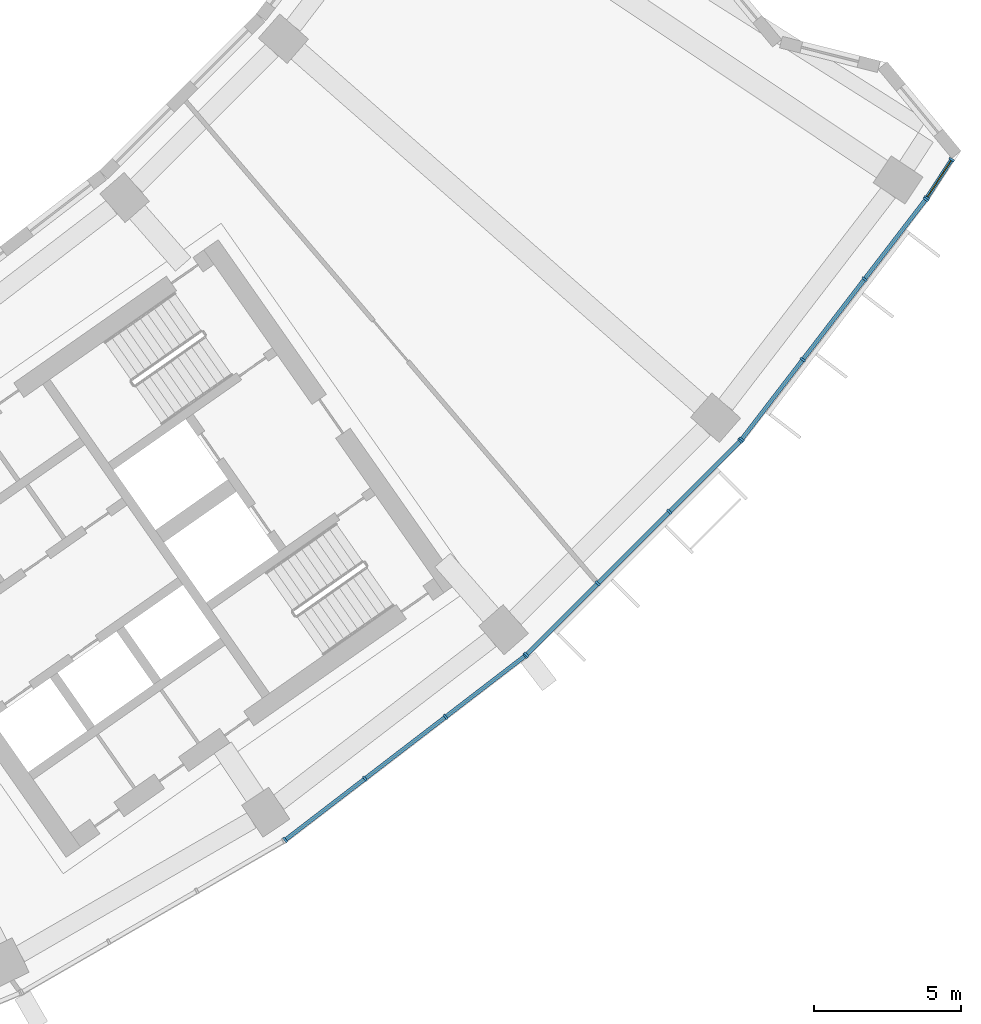
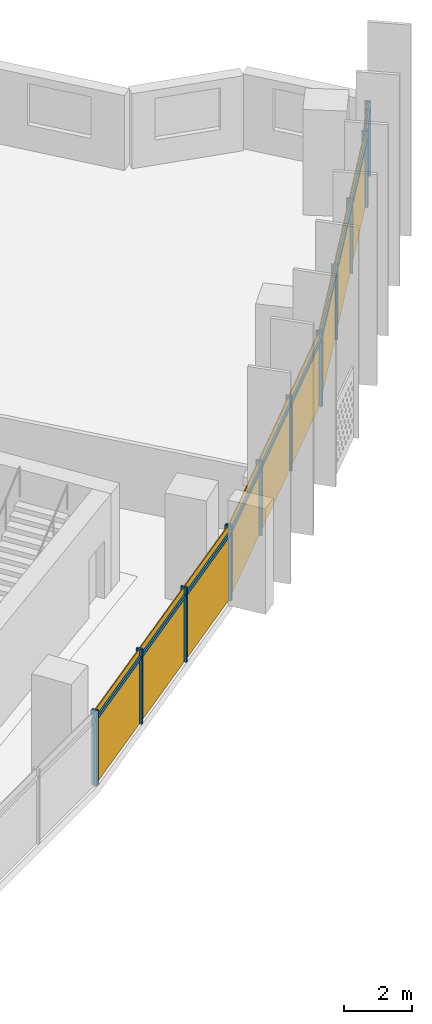
# One storey, part 20 of 26: 24 members, 4 curtain walls.
"""IFC4 building model written with IfcOpenShell, lengths in metres."""

from ifc_helpers import new_model, si_unit, direction, frame, origin, origin_2d, place, context, subcontext, project, spatial, rectangle, extrude, material, material_profile, profile_set, type_object, element, aggregate, save


model = new_model("IFC4")

# Units and contexts
model_context = context("Model", 3, precision=1e-05, world=origin(), true_north=direction((0.0, 1.0)))
body_context = subcontext(model_context, "Body", "Model", "MODEL_VIEW")
ifc_project = project(units=[si_unit("LENGTHUNIT", "METRE"), si_unit("AREAUNIT", "SQUARE_METRE"), si_unit("VOLUMEUNIT", "CUBIC_METRE"), si_unit("PLANEANGLEUNIT", "RADIAN"), si_unit("MASSUNIT", "GRAM", prefix="KILO")], contexts=[model_context])

# Member
ifc_material = material(Name="Aluminium 6063-T6 anodised", Category="aluminium")
ifc_material_profile_1 = material_profile(ifc_material, rectangle(XDim=0.199951171875, YDim=0.070068359375, at=origin_2d()))
ifc_profile_set_1 = profile_set([ifc_material_profile_1], Name="Aluminium 6063-T6 anodised")
member_type_1 = type_object("IfcMemberType", Name="Mullion 70 x 200 aluminium", PredefinedType="MULLION", material=ifc_profile_set_1)
site_placement = place(None, origin())
building_placement = place(site_placement, origin())
storey_placement = place(building_placement, frame((0.0, 0.0, 156.89990234375)))
member_1_placement = place(storey_placement, frame((43.85693359375, -65.58544921875, 0.0), z_axis=(0.0, 0.0, 1.0), x_axis=(-0.608761429009, 0.793353340291, 0.0)))
member_1 = element("IfcMember", 1, at=member_1_placement, type_object=member_type_1, Name="e-cw1-L36-out12/M00", PredefinedType="MULLION", context=body_context, shape_type="SweptSolid", body=[
    extrude(rectangle(XDim=0.199951171875, YDim=0.070068359375, at=origin_2d()), origin(), (0.0, 0.0, 1.0), 2.7001953125),
])

member_2_placement = place(storey_placement, frame((46.56201171875, -63.509765625, 0.0), z_axis=(0.0, 0.0, 1.0), x_axis=(-0.608761429009, 0.793353340291, 0.0)))
member_2 = element("IfcMember", 2, at=member_2_placement, type_object=member_type_1, Name="e-cw1-L36-out12/M01", PredefinedType="MULLION", context=body_context, shape_type="SweptSolid", body=[
    extrude(rectangle(XDim=0.199951171875, YDim=0.070068359375, at=origin_2d()), origin(), (0.0, 0.0, 1.0), 2.7001953125),
])

member_3_placement = place(storey_placement, frame((49.294677734375, -61.412841796875, 0.0), z_axis=(0.0, 0.0, 1.0), x_axis=(-0.608761429009, 0.793353340291, 0.0)))
member_3 = element("IfcMember", 3, at=member_3_placement, type_object=member_type_1, Name="e-cw1-L36-out12/M02", PredefinedType="MULLION", context=body_context, shape_type="SweptSolid", body=[
    extrude(rectangle(XDim=0.199951171875, YDim=0.070068359375, at=origin_2d()), origin(), (0.0, 0.0, 1.0), 2.7001953125),
])

member_4_placement = place(storey_placement, frame((51.999755859375, -59.33740234375, 0.0), z_axis=(0.0, 0.0, 1.0), x_axis=(-0.608761429009, 0.793353340291, 0.0)))
member_4 = element("IfcMember", 4, at=member_4_placement, type_object=member_type_1, Name="e-cw1-L36-out12/M03", PredefinedType="MULLION", context=body_context, shape_type="SweptSolid", body=[
    extrude(rectangle(XDim=0.199951171875, YDim=0.070068359375, at=origin_2d()), origin(), (0.0, 0.0, 1.0), 2.7001953125),
])

member_5_placement = place(storey_placement, frame((52.042236328125, -59.2998046875, 0.0), z_axis=(0.0, 0.0, 1.0), x_axis=(-0.707106781187, 0.707106781187, 0.0)))
member_5 = element("IfcMember", 5, at=member_5_placement, type_object=member_type_1, Name="e-cw1-L36-out13/M00", PredefinedType="MULLION", context=body_context, shape_type="SweptSolid", body=[
    extrude(rectangle(XDim=0.199951171875, YDim=0.070068359375, at=origin_2d()), origin(), (0.0, 0.0, 1.0), 2.7001953125),
])

member_6_placement = place(storey_placement, frame((54.453369140625, -56.888916015625, 0.0), z_axis=(0.0, 0.0, 1.0), x_axis=(-0.707106781187, 0.707106781187, 0.0)))
member_6 = element("IfcMember", 6, at=member_6_placement, type_object=member_type_1, Name="e-cw1-L36-out13/M01", PredefinedType="MULLION", context=body_context, shape_type="SweptSolid", body=[
    extrude(rectangle(XDim=0.199951171875, YDim=0.070068359375, at=origin_2d()), origin(), (0.0, 0.0, 1.0), 2.7001953125),
])

member_7_placement = place(storey_placement, frame((56.888916015625, -54.453369140625, 0.0), z_axis=(0.0, 0.0, 1.0), x_axis=(-0.707106781187, 0.707106781187, 0.0)))
member_7 = element("IfcMember", 7, at=member_7_placement, type_object=member_type_1, Name="e-cw1-L36-out13/M02", PredefinedType="MULLION", context=body_context, shape_type="SweptSolid", body=[
    extrude(rectangle(XDim=0.199951171875, YDim=0.070068359375, at=origin_2d()), origin(), (0.0, 0.0, 1.0), 2.7001953125),
])

member_8_placement = place(storey_placement, frame((59.2998046875, -52.042236328125, 0.0), z_axis=(0.0, 0.0, 1.0), x_axis=(-0.707106781187, 0.707106781187, 0.0)))
member_8 = element("IfcMember", 8, at=member_8_placement, type_object=member_type_1, Name="e-cw1-L36-out13/M03", PredefinedType="MULLION", context=body_context, shape_type="SweptSolid", body=[
    extrude(rectangle(XDim=0.199951171875, YDim=0.070068359375, at=origin_2d()), origin(), (0.0, 0.0, 1.0), 2.7001953125),
])

member_9_placement = place(storey_placement, frame((59.33740234375, -51.999755859375, 0.0), z_axis=(0.0, 0.0, 1.0), x_axis=(-0.793353340291, 0.608761429009, 0.0)))
member_9 = element("IfcMember", 9, at=member_9_placement, type_object=member_type_1, Name="e-cw1-L36-out14/M00", PredefinedType="MULLION", context=body_context, shape_type="SweptSolid", body=[
    extrude(rectangle(XDim=0.199951171875, YDim=0.070068359375, at=origin_2d()), origin(), (0.0, 0.0, 1.0), 2.7001953125),
])

member_10_placement = place(storey_placement, frame((61.412841796875, -49.294677734375, 0.0), z_axis=(0.0, 0.0, 1.0), x_axis=(-0.793353340291, 0.608761429009, 0.0)))
member_10 = element("IfcMember", 10, at=member_10_placement, type_object=member_type_1, Name="e-cw1-L36-out14/M01", PredefinedType="MULLION", context=body_context, shape_type="SweptSolid", body=[
    extrude(rectangle(XDim=0.199951171875, YDim=0.070068359375, at=origin_2d()), origin(), (0.0, 0.0, 1.0), 2.7001953125),
])

member_11_placement = place(storey_placement, frame((63.509765625, -46.56201171875, 0.0), z_axis=(0.0, 0.0, 1.0), x_axis=(-0.793353340291, 0.608761429009, 0.0)))
member_11 = element("IfcMember", 11, at=member_11_placement, type_object=member_type_1, Name="e-cw1-L36-out14/M02", PredefinedType="MULLION", context=body_context, shape_type="SweptSolid", body=[
    extrude(rectangle(XDim=0.199951171875, YDim=0.070068359375, at=origin_2d()), origin(), (0.0, 0.0, 1.0), 2.7001953125),
])

member_12_placement = place(storey_placement, frame((65.58544921875, -43.85693359375, 0.0), z_axis=(0.0, 0.0, 1.0), x_axis=(-0.793353340291, 0.608761429009, 0.0)))
member_12 = element("IfcMember", 12, at=member_12_placement, type_object=member_type_1, Name="e-cw1-L36-out14/M03", PredefinedType="MULLION", context=body_context, shape_type="SweptSolid", body=[
    extrude(rectangle(XDim=0.199951171875, YDim=0.070068359375, at=origin_2d()), origin(), (0.0, 0.0, 1.0), 2.7001953125),
])

member_13_placement = place(storey_placement, frame((65.621337890625, -43.80615234375, 0.0), z_axis=(0.0, 0.0, 1.0), x_axis=(-0.838446044711, 0.544984614561, 0.0)))
member_13 = element("IfcMember", 13, at=member_13_placement, type_object=member_type_1, Name="e-cw1-L36-out15/M00", PredefinedType="MULLION", context=body_context, shape_type="SweptSolid", body=[
    extrude(rectangle(XDim=0.199951171875, YDim=0.070068359375, at=origin_2d()), origin(), (0.0, 0.0, 1.0), 2.7001953125),
])

member_14_placement = place(storey_placement, frame((66.465087890625, -42.50830078125, 0.0), z_axis=(0.0, 0.0, 1.0), x_axis=(-0.838446044711, 0.544984614561, 0.0)))
member_14 = element("IfcMember", 14, at=member_14_placement, type_object=member_type_1, Name="e-cw1-L36-out15/M01", PredefinedType="MULLION", context=body_context, shape_type="SweptSolid", body=[
    extrude(rectangle(XDim=0.199951171875, YDim=0.070068359375, at=origin_2d()), origin(), (0.0, 0.0, 1.0), 2.7001953125),
])

ifc_material_profile_2 = material_profile(ifc_material, rectangle(XDim=0.139892578125, YDim=0.1201171875, at=origin_2d()))
ifc_profile_set_2 = profile_set([ifc_material_profile_2], Name="Aluminium 6063-T6 anodised")
member_type_2 = type_object("IfcMemberType", Name="Transom 120 x 140 aluminium", PredefinedType="USERDEFINED", material=ifc_profile_set_2)
member_15_placement = place(storey_placement, frame((43.884765625, -65.564208984375, 2.400146484375), z_axis=(0.793354486861, 0.608759934767, 0.0), x_axis=(-0.608759934767, 0.793354486861, 0.0)))
member_15 = element("IfcMember", 15, at=member_15_placement, type_object=member_type_2, Name="e-cw1-L36-out12/T00", ObjectType="TRANSOM", PredefinedType="USERDEFINED", context=body_context, shape_type="SweptSolid", body=[
    extrude(rectangle(XDim=0.139892578125, YDim=0.1201171875, at=origin_2d()), origin(), (0.0, 0.0, 1.0), 3.339599609375),
])

member_16_placement = place(storey_placement, frame((46.589599609375, -63.488525390625, 2.400146484375), z_axis=(0.793371081522, 0.608738307489, 0.0), x_axis=(-0.608738307489, 0.793371081522, 0.0)))
member_16 = element("IfcMember", 16, at=member_16_placement, type_object=member_type_2, Name="e-cw1-L36-out12/T01", ObjectType="TRANSOM", PredefinedType="USERDEFINED", context=body_context, shape_type="SweptSolid", body=[
    extrude(rectangle(XDim=0.139892578125, YDim=0.1201171875, at=origin_2d()), origin(), (0.0, 0.0, 1.0), 3.37451171875),
])

member_17_placement = place(storey_placement, frame((49.322509765625, -61.3916015625, 2.400146484375), z_axis=(0.793354486861, 0.608759934767, 0.0), x_axis=(-0.608759934767, 0.793354486861, 0.0)))
member_17 = element("IfcMember", 17, at=member_17_placement, type_object=member_type_2, Name="e-cw1-L36-out12/T02", ObjectType="TRANSOM", PredefinedType="USERDEFINED", context=body_context, shape_type="SweptSolid", body=[
    extrude(rectangle(XDim=0.139892578125, YDim=0.1201171875, at=origin_2d()), origin(), (0.0, 0.0, 1.0), 3.339599609375),
])

member_18_placement = place(storey_placement, frame((52.067138671875, -59.275146484375, 2.400146484375), z_axis=(0.707106781187, 0.707106781187, 0.0), x_axis=(-0.707106781187, 0.707106781187, 0.0)))
member_18 = element("IfcMember", 18, at=member_18_placement, type_object=member_type_2, Name="e-cw1-L36-out13/T00", ObjectType="TRANSOM", PredefinedType="USERDEFINED", context=body_context, shape_type="SweptSolid", body=[
    extrude(rectangle(XDim=0.139892578125, YDim=0.1201171875, at=origin_2d()), origin(), (0.0, 0.0, 1.0), 3.33935546875),
])

member_19_placement = place(storey_placement, frame((54.47802734375, -56.8642578125, 2.400146484375), z_axis=(0.707106781187, 0.707106781187, 0.0), x_axis=(-0.707106781187, 0.707106781187, 0.0)))
member_19 = element("IfcMember", 19, at=member_19_placement, type_object=member_type_2, Name="e-cw1-L36-out13/T01", ObjectType="TRANSOM", PredefinedType="USERDEFINED", context=body_context, shape_type="SweptSolid", body=[
    extrude(rectangle(XDim=0.139892578125, YDim=0.1201171875, at=origin_2d()), origin(), (0.0, 0.0, 1.0), 3.374755859375),
])

member_20_placement = place(storey_placement, frame((56.913818359375, -54.428466796875, 2.400146484375), z_axis=(0.707106781187, 0.707106781187, 0.0), x_axis=(-0.707106781187, 0.707106781187, 0.0)))
member_20 = element("IfcMember", 20, at=member_20_placement, type_object=member_type_2, Name="e-cw1-L36-out13/T02", ObjectType="TRANSOM", PredefinedType="USERDEFINED", context=body_context, shape_type="SweptSolid", body=[
    extrude(rectangle(XDim=0.139892578125, YDim=0.1201171875, at=origin_2d()), origin(), (0.0, 0.0, 1.0), 3.33935546875),
])

member_21_placement = place(storey_placement, frame((59.358642578125, -51.971923828125, 2.400146484375), z_axis=(0.608759934767, 0.793354486861, 0.0), x_axis=(-0.793354486861, 0.608759934767, 0.0)))
member_21 = element("IfcMember", 21, at=member_21_placement, type_object=member_type_2, Name="e-cw1-L36-out14/T00", ObjectType="TRANSOM", PredefinedType="USERDEFINED", context=body_context, shape_type="SweptSolid", body=[
    extrude(rectangle(XDim=0.139892578125, YDim=0.1201171875, at=origin_2d()), origin(), (0.0, 0.0, 1.0), 3.339599609375),
])

member_22_placement = place(storey_placement, frame((61.434326171875, -49.266845703125, 2.400146484375), z_axis=(0.608738307489, 0.793371081522, 0.0), x_axis=(-0.793371081522, 0.608738307489, 0.0)))
member_22 = element("IfcMember", 22, at=member_22_placement, type_object=member_type_2, Name="e-cw1-L36-out14/T01", ObjectType="TRANSOM", PredefinedType="USERDEFINED", context=body_context, shape_type="SweptSolid", body=[
    extrude(rectangle(XDim=0.139892578125, YDim=0.1201171875, at=origin_2d()), origin(), (0.0, 0.0, 1.0), 3.37451171875),
])

member_23_placement = place(storey_placement, frame((63.53125, -46.5341796875, 2.400146484375), z_axis=(0.608759934767, 0.793354486861, 0.0), x_axis=(-0.793354486861, 0.608759934767, 0.0)))
member_23 = element("IfcMember", 23, at=member_23_placement, type_object=member_type_2, Name="e-cw1-L36-out14/T02", ObjectType="TRANSOM", PredefinedType="USERDEFINED", context=body_context, shape_type="SweptSolid", body=[
    extrude(rectangle(XDim=0.139892578125, YDim=0.1201171875, at=origin_2d()), origin(), (0.0, 0.0, 1.0), 3.339599609375),
])

member_24_placement = place(storey_placement, frame((65.640380859375, -43.77685546875, 2.400146484375), z_axis=(0.544941900841, 0.838473806811, 0.0), x_axis=(-0.838473806811, 0.544941900841, 0.0)))
member_24 = element("IfcMember", 24, at=member_24_placement, type_object=member_type_2, Name="e-cw1-L36-out15/T00", ObjectType="TRANSOM", PredefinedType="USERDEFINED", context=body_context, shape_type="SweptSolid", body=[
    extrude(rectangle(XDim=0.139892578125, YDim=0.1201171875, at=origin_2d()), origin(), (0.0, 0.0, 1.0), 1.47802734375),
])

# Site, building, storey
site = spatial("IfcSite", under=ifc_project, at=site_placement, CompositionType="ELEMENT")
building = spatial("IfcBuilding", under=site, at=building_placement, Name="Qamariyya Broadcast Tower", CompositionType="ELEMENT")
storey = spatial("IfcBuildingStorey", under=building, at=storey_placement, Name="L36", CompositionType="ELEMENT", Elevation=156.89990234375)

# Curtain wall
curtain_wall_type = type_object("IfcCurtainWallType", Name="Unitised curtain wall, anodised aluminium", PredefinedType="NOTDEFINED", material=ifc_material)
curtain_wall_1_placement = place(storey_placement, origin())
curtain_wall_1 = element("IfcCurtainWall", 25, at=curtain_wall_1_placement, inside=storey, type_object=curtain_wall_type, Name="e-cw1-L36-out12", PredefinedType="NOTDEFINED", context=body_context, shape_type="SweptSolid", body=[
    extrude(rectangle(XDim=3.339599609375, YDim=0.031982421875, at=origin_2d()), frame((45.20947265625, -64.547607421875, 0.0), x_axis=(0.793351517557, 0.608763804434, 0.0)), (0.0, 0.0, 1.0), 2.340087890625),
    extrude(rectangle(XDim=3.339599609375, YDim=0.031982421875, at=origin_2d()), frame((45.20947265625, -64.547607421875, 2.460205078125), x_axis=(0.793351517557, 0.608763804434, 0.0)), (0.0, 0.0, 1.0), 0.239990234375),
    extrude(rectangle(XDim=3.37451171875, YDim=0.031982421875, at=origin_2d()), frame((47.92822265625, -62.46142578125, 0.0), x_axis=(0.793351517557, 0.608763804434, 0.0)), (0.0, 0.0, 1.0), 2.340087890625),
    extrude(rectangle(XDim=3.37451171875, YDim=0.031982421875, at=origin_2d()), frame((47.92822265625, -62.46142578125, 2.460205078125), x_axis=(0.793351517557, 0.608763804434, 0.0)), (0.0, 0.0, 1.0), 0.239990234375),
    extrude(rectangle(XDim=3.339599609375, YDim=0.031982421875, at=origin_2d()), frame((50.64697265625, -60.375, 0.0), x_axis=(0.793351517557, 0.608763804434, 0.0)), (0.0, 0.0, 1.0), 2.340087890625),
    extrude(rectangle(XDim=3.339599609375, YDim=0.031982421875, at=origin_2d()), frame((50.64697265625, -60.375, 2.460205078125), x_axis=(0.793351517557, 0.608763804434, 0.0)), (0.0, 0.0, 1.0), 0.239990234375),
])

aggregate(curtain_wall_1, [member_1, member_2, member_3, member_4, member_15, member_16, member_17])

curtain_wall_2_placement = place(storey_placement, origin())
curtain_wall_2 = element("IfcCurtainWall", 26, at=curtain_wall_2_placement, inside=storey, type_object=curtain_wall_type, Name="e-cw1-L36-out13", PredefinedType="NOTDEFINED", context=body_context, shape_type="SweptSolid", body=[
    extrude(rectangle(XDim=3.339599609375, YDim=0.031982421875, at=origin_2d()), frame((53.247802734375, -58.094482421875, 0.0), x_axis=(0.707106781187, 0.707106781187, 0.0)), (0.0, 0.0, 1.0), 2.340087890625),
    extrude(rectangle(XDim=3.339599609375, YDim=0.031982421875, at=origin_2d()), frame((53.247802734375, -58.094482421875, 2.460205078125), x_axis=(0.707106781187, 0.707106781187, 0.0)), (0.0, 0.0, 1.0), 0.239990234375),
    extrude(rectangle(XDim=3.37451171875, YDim=0.031982421875, at=origin_2d()), frame((55.671142578125, -55.671142578125, 0.0), x_axis=(0.707106781187, 0.707106781187, 0.0)), (0.0, 0.0, 1.0), 2.340087890625),
    extrude(rectangle(XDim=3.37451171875, YDim=0.031982421875, at=origin_2d()), frame((55.671142578125, -55.671142578125, 2.460205078125), x_axis=(0.707106781187, 0.707106781187, 0.0)), (0.0, 0.0, 1.0), 0.239990234375),
    extrude(rectangle(XDim=3.339599609375, YDim=0.031982421875, at=origin_2d()), frame((58.094482421875, -53.247802734375, 0.0), x_axis=(0.707106781187, 0.707106781187, 0.0)), (0.0, 0.0, 1.0), 2.340087890625),
    extrude(rectangle(XDim=3.339599609375, YDim=0.031982421875, at=origin_2d()), frame((58.094482421875, -53.247802734375, 2.460205078125), x_axis=(0.707106781187, 0.707106781187, 0.0)), (0.0, 0.0, 1.0), 0.239990234375),
])

aggregate(curtain_wall_2, [member_5, member_6, member_7, member_8, member_18, member_19, member_20])

curtain_wall_3_placement = place(storey_placement, origin())
curtain_wall_3 = element("IfcCurtainWall", 27, at=curtain_wall_3_placement, inside=storey, type_object=curtain_wall_type, Name="e-cw1-L36-out14", PredefinedType="NOTDEFINED", context=body_context, shape_type="SweptSolid", body=[
    extrude(rectangle(XDim=3.339599609375, YDim=0.031982421875, at=origin_2d()), frame((60.375, -50.64697265625, 0.0), x_axis=(0.608763804434, 0.793351517557, 0.0)), (0.0, 0.0, 1.0), 2.340087890625),
    extrude(rectangle(XDim=3.339599609375, YDim=0.031982421875, at=origin_2d()), frame((60.375, -50.64697265625, 2.460205078125), x_axis=(0.608763804434, 0.793351517557, 0.0)), (0.0, 0.0, 1.0), 0.239990234375),
    extrude(rectangle(XDim=3.37451171875, YDim=0.031982421875, at=origin_2d()), frame((62.46142578125, -47.92822265625, 0.0), x_axis=(0.608763804434, 0.793351517557, 0.0)), (0.0, 0.0, 1.0), 2.340087890625),
    extrude(rectangle(XDim=3.37451171875, YDim=0.031982421875, at=origin_2d()), frame((62.46142578125, -47.92822265625, 2.460205078125), x_axis=(0.608763804434, 0.793351517557, 0.0)), (0.0, 0.0, 1.0), 0.239990234375),
    extrude(rectangle(XDim=3.339599609375, YDim=0.031982421875, at=origin_2d()), frame((64.547607421875, -45.20947265625, 0.0), x_axis=(0.608763804434, 0.793351517557, 0.0)), (0.0, 0.0, 1.0), 2.340087890625),
    extrude(rectangle(XDim=3.339599609375, YDim=0.031982421875, at=origin_2d()), frame((64.547607421875, -45.20947265625, 2.460205078125), x_axis=(0.608763804434, 0.793351517557, 0.0)), (0.0, 0.0, 1.0), 0.239990234375),
])

aggregate(curtain_wall_3, [member_9, member_10, member_11, member_12, member_21, member_22, member_23])

curtain_wall_4_placement = place(storey_placement, origin())
curtain_wall_4 = element("IfcCurtainWall", 28, at=curtain_wall_4_placement, inside=storey, type_object=curtain_wall_type, Name="e-cw1-L36-out15", PredefinedType="NOTDEFINED", context=body_context, shape_type="SweptSolid", body=[
    extrude(rectangle(XDim=1.477783203125, YDim=0.031982421875, at=origin_2d()), frame((66.043212890625, -43.1572265625, 0.0), x_axis=(0.545051997671, 0.838402242265, 0.0)), (0.0, 0.0, 1.0), 2.340087890625),
    extrude(rectangle(XDim=1.477783203125, YDim=0.031982421875, at=origin_2d()), frame((66.043212890625, -43.1572265625, 2.460205078125), x_axis=(0.545051997671, 0.838402242265, 0.0)), (0.0, 0.0, 1.0), 0.239990234375),
])

aggregate(curtain_wall_4, [member_13, member_14, member_24])

save(model, "model.ifc")
